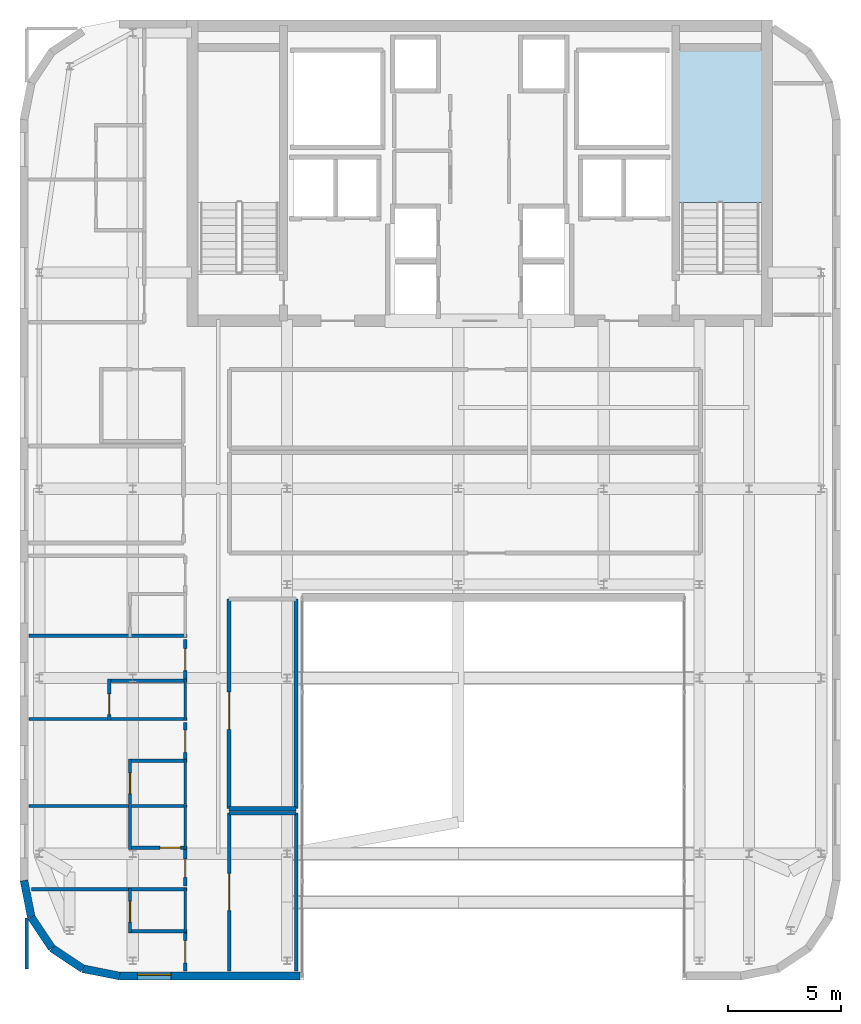
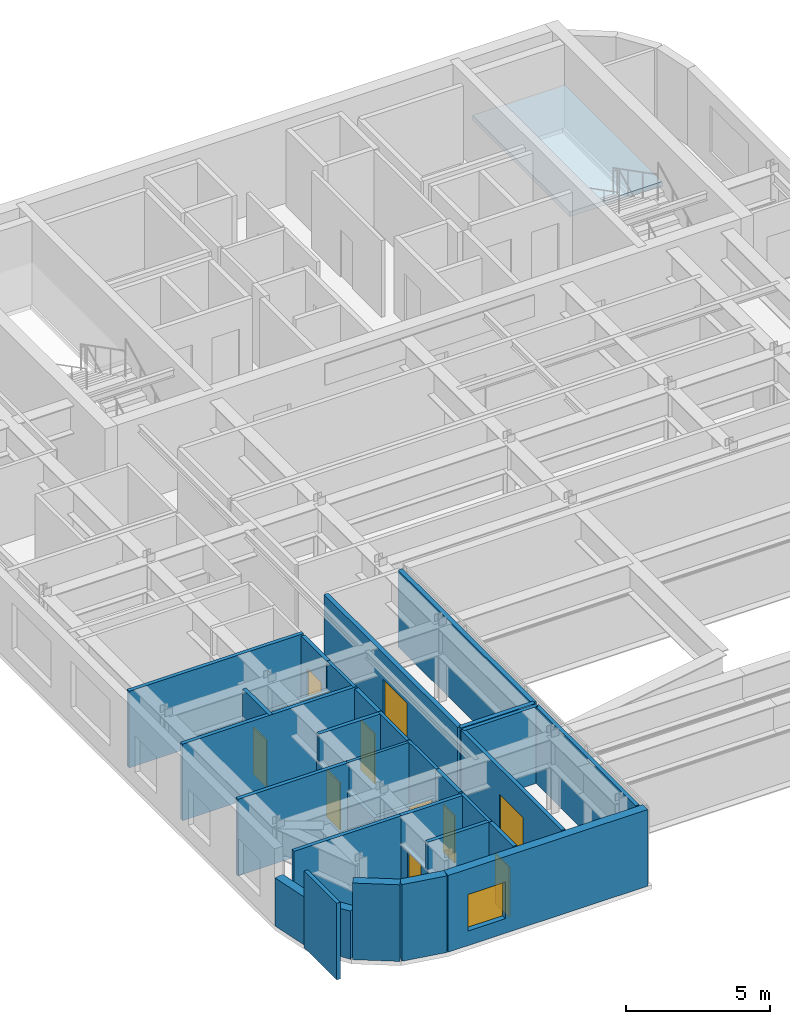
# One storey, part 16 of 21: 34 walls, 10 doors, 1 slab, 1 window, 11 openings, 1 element without a shape of its own.
"""IFC4 building model written with IfcOpenShell, lengths in metres."""

from ifc_helpers import new_model, si_unit, direction, frame, frame_2d, origin, place, context, subcontext, project, spatial, polyline, rectangle, outline, extrude, source, transform, mapped, material, layer, layer_set, type_object, type_shapes, element, fill, aggregate, save


model = new_model("IFC4")

# Units and contexts
model_context = context("Model", 3, precision=1e-05, world=origin(), true_north=direction((0.0, 1.0)))
body_context = subcontext(model_context, "Body", "Model", "MODEL_VIEW")
ifc_project = project(units=[si_unit("LENGTHUNIT", "METRE"), si_unit("AREAUNIT", "SQUARE_METRE"), si_unit("VOLUMEUNIT", "CUBIC_METRE"), si_unit("PLANEANGLEUNIT", "RADIAN"), si_unit("MASSUNIT", "GRAM", prefix="KILO")], contexts=[model_context])

# Site, building, storey
site_placement = place(None, origin())
site = spatial("IfcSite", under=ifc_project, at=site_placement, CompositionType="ELEMENT")
building_placement = place(site_placement, origin())
building = spatial("IfcBuilding", under=site, at=building_placement, Name="Tolvann Quenvar Hotel", CompositionType="ELEMENT")
storey_placement = place(building_placement, frame((0.0, 0.0, 266.5)))
storey = spatial("IfcBuildingStorey", under=building, at=storey_placement, Name="L71", CompositionType="ELEMENT", Elevation=266.5)

# Stair, slab
ifc_material_1 = material(Name="Concrete N40 (40 MPa)", Category="concrete")
stair_type = type_object("IfcStairType", Name="STAIR", PredefinedType="HALF_TURN_STAIR", material=ifc_material_1)
stair_placement = place(storey_placement, origin())
stair = element("IfcStair", 1, at=stair_placement, inside=storey, type_object=stair_type, Name="L71 ST-C2", PredefinedType="HALF_TURN_STAIR")
ifc_layer_1 = layer(ifc_material_1, 0.199951171875)
ifc_layer_set_1 = layer_set([ifc_layer_1], Name="Concrete N40 (40 MPa)")
slab_type = type_object("IfcSlabType", Name="SLAB_LANDING", PredefinedType="LANDING", material=ifc_layer_set_1)
slab_placement = place(storey_placement, frame((0.0, 0.0, 1.574951171875)))
slab = element("IfcSlab", 2, at=slab_placement, type_object=slab_type, Name="ST-C2 landing 1", PredefinedType="LANDING", context=body_context, shape_type="SweptSolid", body=[
    extrude(outline(polyline([(35.530029296875, 37.10498046875), (35.530029296875, 43.8798828125), (31.820068359375, 43.8798828125), (31.820068359375, 37.10498046875), (35.530029296875, 37.10498046875)])), origin(), (0.0, 0.0, 1.0), 0.199951171875),
])
aggregate(stair, [slab])

# Walls
ifc_material_2 = material(Name="Kiln-fired red and buff architectural clay brickwork and terracotta masonry", Category="masonry")
ifc_layer_2 = layer(ifc_material_2, 0.35009765625)
ifc_layer_set_2 = layer_set([ifc_layer_2], Name="Kiln-fired red and buff architectural clay brickwork and terracotta masonry")
wall_type_1 = type_object("IfcWallType", Name="WALL_EXT_BRICK_350", PredefinedType="SOLIDWALL", material=ifc_layer_set_2)
wall_1_placement = place(storey_placement, frame((3.099609375, 5.384521484375, 0.0), z_axis=(0.0, 0.0, 1.0), x_axis=(0.555623290322, -0.831434158098, 0.0)))
element("IfcWall", 3, at=wall_1_placement, inside=storey, type_object=wall_type_1, Name="Exterior Chicago Brick Wall L71-E01", PredefinedType="SOLIDWALL", context=body_context, shape_type="SweptSolid", body=[
    extrude(rectangle(XDim=1.647216796875, YDim=0.35009765625, at=frame_2d((0.82373046875, 0.0))), origin(), (0.0, 0.0, 1.0), 2.0400390625),
])
wall_2_placement = place(storey_placement, frame((4.014892578125, 4.014892578125, 0.0), z_axis=(0.0, 0.0, 1.0), x_axis=(0.831434158098, -0.555623290322, 0.0)))
element("IfcWall", 4, at=wall_2_placement, inside=storey, type_object=wall_type_1, Name="Exterior Chicago Brick Wall L71-E02", PredefinedType="SOLIDWALL", context=body_context, shape_type="SweptSolid", body=[
    extrude(rectangle(XDim=1.647216796875, YDim=0.35009765625, at=frame_2d((0.82373046875, 0.0))), origin(), (0.0, 0.0, 1.0), 3.25),
])
wall_3_placement = place(storey_placement, frame((5.384521484375, 3.099609375, 0.0), z_axis=(0.0, 0.0, 1.0), x_axis=(0.980788844421, -0.195072403631, 0.0)))
element("IfcWall", 5, at=wall_3_placement, inside=storey, type_object=wall_type_1, Name="Exterior Chicago Brick Wall L71-E03", PredefinedType="SOLIDWALL", context=body_context, shape_type="SweptSolid", body=[
    extrude(rectangle(XDim=1.66455078125, YDim=0.35009765625, at=frame_2d((0.832275390625, 0.0))), origin(), (0.0, 0.0, 1.0), 3.25),
])

# Wall, opening, window
wall_4_placement = place(storey_placement, frame((7.01708984375, 2.77490234375, 0.0), z_axis=(0.0, 0.0, 1.0), x_axis=(1.0, 0.0, 0.0)))
wall_4 = element("IfcWall", 6, at=wall_4_placement, inside=storey, type_object=wall_type_1, Name="Exterior Chicago Brick Wall L71-E04", PredefinedType="SOLIDWALL", context=body_context, shape_type="SweptSolid", body=[
    extrude(rectangle(XDim=8.0078125, YDim=0.35009765625, at=frame_2d((4.00390625, 0.0))), origin(), (0.0, 0.0, 1.0), 3.25),
])
opening_1_placement = place(wall_4_placement, frame((0.791015625, 0.0, 0.6201171875)))
opening_1 = element("IfcOpeningElement", 7, at=opening_1_placement, cuts=wall_4, Name="Opening W-08", PredefinedType="OPENING", context=body_context, shape_type="SweptSolid", body=[
    extrude(rectangle(XDim=1.5, YDim=1.550048828125, at=frame_2d((0.75, 0.77490234375))), frame((0.0, 0.18505859375, 0.0), z_axis=(0.0, -1.0, 0.0), x_axis=(1.0, 0.0, 0.0)), (0.0, 0.0, 1.0), 0.3701171875),
])
ifc_material_3 = material(Name="Thermally broken bronze-anodised aluminium frame with double low-E glazing", Category="aluminium")
window_type = type_object("IfcWindowType", Name="WIN_COR_1500x2050", PartitioningType="SINGLE_PANEL", PredefinedType="WINDOW", material=ifc_material_3)
shared_shape_1 = source(origin(), body_context, "Body", "SweptSolid", [
    extrude(rectangle(XDim=1.5, YDim=1.550048828125, at=frame_2d((0.75, 0.77490234375))), frame((0.0, 0.090087890625, 0.0), z_axis=(0.0, -1.0, 0.0), x_axis=(1.0, 0.0, 0.0)), (0.0, 0.0, 1.0), 0.06005859375),
])
type_shapes(window_type, [shared_shape_1])
window_placement = place(opening_1_placement, origin())
window = element("IfcWindow", 8, at=window_placement, inside=storey, type_object=window_type, Name="Chicago Window W-08 (EW-L71-E04-WD01)", OverallHeight=1.550048828125, OverallWidth=1.5, PartitioningType="SINGLE_PANEL", PredefinedType="WINDOW", context=body_context, shape_type="MappedRepresentation", body=[
    mapped(shared_shape_1, transform((0.0, 0.0, 0.0), x_axis=(1.0, 0.0, 0.0), y_axis=(0.0, 1.0, 0.0), z_axis=(0.0, 0.0, 1.0), scale=1.0)),
])
fill(opening_1, window)

# Walls
wall_5_placement = place(storey_placement, frame((2.77490234375, 7.01708984375, 0.0), z_axis=(0.0, 0.0, 1.0), x_axis=(0.195072403631, -0.980788844421, 0.0)))
element("IfcWall", 9, at=wall_5_placement, inside=storey, type_object=wall_type_1, Name="Exterior Chicago Brick Wall L71-E24", PredefinedType="SOLIDWALL", context=body_context, shape_type="SweptSolid", body=[
    extrude(rectangle(XDim=1.66455078125, YDim=0.35009765625, at=frame_2d((0.832275390625, 0.0))), origin(), (0.0, 0.0, 1.0), 2.0400390625),
])
ifc_material_4 = material(Name="Acoustic twin-stud fire-rated gypsum plasterboard partition")
ifc_layer_3 = layer(ifc_material_4, 0.179931640625)
ifc_layer_set_3 = layer_set([ifc_layer_3], Name="Acoustic twin-stud fire-rated gypsum plasterboard partition")
wall_type_2 = type_object("IfcWallType", Name="WALL_PART_ACOUSTIC_180", PredefinedType="PARTITIONING", material=ifc_layer_set_3)
wall_6_placement = place(storey_placement, frame((11.8798828125, 10.199951171875, 0.0), z_axis=(0.0, 0.0, 1.0), x_axis=(1.0, 0.0, 0.0)))
element("IfcWall", 10, at=wall_6_placement, inside=storey, type_object=wall_type_2, Name="Interior Partition PT-SPC-L71-POVL-S", PredefinedType="PARTITIONING", context=body_context, shape_type="SweptSolid", body=[
    extrude(rectangle(XDim=2.97021484375, YDim=0.179931640625, at=frame_2d((1.485107421875, 0.0))), origin(), (0.0, 0.0, 1.0), 3.25),
])

# Wall, opening, door
wall_7_placement = place(storey_placement, frame((11.8798828125, 10.199951171875, 0.0), z_axis=(0.0, 0.0, 1.0), x_axis=(0.0, 1.0, 0.0)))
wall_7 = element("IfcWall", 11, at=wall_7_placement, inside=storey, type_object=wall_type_2, Name="Interior Partition PT-SPC-L71-POVL-W", PredefinedType="PARTITIONING", context=body_context, shape_type="SweptSolid", body=[
    extrude(rectangle(XDim=9.300048828125, YDim=0.179931640625, at=frame_2d((4.64990234375, 0.0))), origin(), (0.0, 0.0, 1.0), 3.25),
])
opening_2_placement = place(wall_7_placement, frame((3.52490234375, 0.0, 0.0)))
opening_2 = element("IfcOpeningElement", 12, at=opening_2_placement, cuts=wall_7, Name="Opening AD-01", PredefinedType="OPENING", context=body_context, shape_type="SweptSolid", body=[
    extrude(rectangle(XDim=1.64990234375, YDim=2.14990234375, at=frame_2d((0.824951171875, 1.074951171875))), frame((0.0, 0.10009765625, 0.0), z_axis=(0.0, -1.0, 0.0), x_axis=(1.0, 0.0, 0.0)), (0.0, 0.0, 1.0), 0.199951171875),
])
ifc_material_5 = material(Name="Solid-core American oak acoustic fire door leaf in steel frame", Category="steel")
door_type_1 = type_object("IfcDoorType", Name="DOOR_SALON_1650", OperationType="NOTDEFINED", PredefinedType="DOOR", material=ifc_material_5)
shared_shape_2 = source(origin(), body_context, "Body", "SweptSolid", [
    extrude(rectangle(XDim=1.64990234375, YDim=2.14990234375, at=frame_2d((0.824951171875, 1.074951171875))), frame((0.0, 0.02490234375, 0.0), z_axis=(0.0, -1.0, 0.0), x_axis=(1.0, 0.0, 0.0)), (0.0, 0.0, 1.0), 0.050048828125),
])
type_shapes(door_type_1, [shared_shape_2])
door_1_placement = place(opening_2_placement, origin())
door_1 = element("IfcDoor", 13, at=door_1_placement, inside=storey, type_object=door_type_1, Name="Interior Door DOOR-SPC-L71-POVL", OperationType="DOUBLE_DOOR_SINGLE_SWING", OverallHeight=2.14990234375, OverallWidth=1.64990234375, PredefinedType="DOOR", context=body_context, shape_type="MappedRepresentation", body=[
    mapped(shared_shape_2, transform((0.0, 0.0, 0.0), x_axis=(1.0, 0.0, 0.0), y_axis=(0.0, 1.0, 0.0), z_axis=(0.0, 0.0, 1.0), scale=1.0)),
])
fill(opening_2, door_1)

# Walls
wall_8_placement = place(storey_placement, frame((14.85009765625, 10.199951171875, 0.0), z_axis=(0.0, 0.0, 1.0), x_axis=(0.0, 1.0, 0.0)))
element("IfcWall", 14, at=wall_8_placement, inside=storey, type_object=wall_type_2, Name="Interior Partition PT-SPC-L71-POVL-E", PredefinedType="PARTITIONING", context=body_context, shape_type="SweptSolid", body=[
    extrude(rectangle(XDim=9.300048828125, YDim=0.179931640625, at=frame_2d((4.64990234375, 0.0))), origin(), (0.0, 0.0, 1.0), 3.25),
])
ifc_material_6 = material(Name="Moisture-resistant acoustic plumbing wall assembly")
ifc_layer_4 = layer(ifc_material_6, 0.1201171875)
ifc_layer_set_4 = layer_set([ifc_layer_4], Name="Moisture-resistant acoustic plumbing wall assembly")
wall_type_3 = type_object("IfcWallType", Name="WALL_PART_BATH_120", PredefinedType="PLUMBINGWALL", material=ifc_layer_set_4)
wall_9_placement = place(storey_placement, frame((9.929931640625, 4.699951171875, 0.0), z_axis=(0.0, 0.0, 1.0), x_axis=(0.0, 1.0, 0.0)))
element("IfcWall", 15, at=wall_9_placement, inside=storey, type_object=wall_type_3, Name="Non-Rated Plumbing Partition PT-SPC-L71-ENS-PW01-E", PredefinedType="PLUMBINGWALL", context=body_context, shape_type="SweptSolid", body=[
    extrude(rectangle(XDim=1.989990234375, YDim=0.1201171875, at=frame_2d((0.9951171875, 0.0))), origin(), (0.0, 0.0, 1.0), 3.25),
])
wall_10_placement = place(storey_placement, frame((7.409912109375, 10.320068359375, 0.0), z_axis=(0.0, 0.0, 1.0), x_axis=(1.0, 0.0, 0.0)))
element("IfcWall", 16, at=wall_10_placement, inside=storey, type_object=wall_type_3, Name="Non-Rated Plumbing Partition PT-SPC-L71-ENS-PW02-N", PredefinedType="PLUMBINGWALL", context=body_context, shape_type="SweptSolid", body=[
    extrude(rectangle(XDim=2.590087890625, YDim=0.1201171875, at=frame_2d((1.294921875, 0.0))), origin(), (0.0, 0.0, 1.0), 3.25),
])
for number, where, z_axis, x_axis, name in (
    (17, (9.929931640625, 8.39990234375, 0.0), (0.0, 0.0, 1.0), (0.0, 1.0, 0.0), "Non-Rated Plumbing Partition PT-SPC-L71-ENS-PW02-E"),
    (18, (9.929931640625, 10.409912109375, 0.0), (0.0, 0.0, 1.0), (0.0, 1.0, 0.0), "Non-Rated Plumbing Partition PT-SPC-L71-ENS-PW03-E"),
):
    element("IfcWall", number, at=place(storey_placement, frame(where, z_axis=z_axis, x_axis=x_axis)), inside=storey, type_object=wall_type_3, Name=name, PredefinedType="PLUMBINGWALL", context=body_context, shape_type="SweptSolid", body=[
        extrude(rectangle(XDim=1.989990234375, YDim=0.1201171875, at=frame_2d((0.9951171875, 0.0))), origin(), (0.0, 0.0, 1.0), 3.25),
    ])
wall_11_placement = place(storey_placement, frame((9.929931640625, 14.110107421875, 0.0), z_axis=(0.0, 0.0, 1.0), x_axis=(0.0, 1.0, 0.0)))
element("IfcWall", 19, at=wall_11_placement, inside=storey, type_object=wall_type_3, Name="Non-Rated Plumbing Partition PT-SPC-L71-ENS-PW04-E", PredefinedType="PLUMBINGWALL", context=body_context, shape_type="SweptSolid", body=[
    extrude(rectangle(XDim=1.8388671875, YDim=0.1201171875, at=frame_2d((0.91943359375, 0.0))), origin(), (0.0, 0.0, 1.0), 3.25),
])

# Wall, opening, door
ifc_layer_5 = layer(ifc_material_4, 0.14990234375)
ifc_layer_set_5 = layer_set([ifc_layer_5], Name="Acoustic twin-stud fire-rated gypsum plasterboard partition")
wall_type_4 = type_object("IfcWallType", Name="WALL_PART_SUITE_150", PredefinedType="PARTITIONING", material=ifc_layer_set_5)
wall_12_placement = place(storey_placement, frame((7.47998046875, 4.699951171875, 0.0), z_axis=(0.0, 0.0, 1.0), x_axis=(0.0, 1.0, 0.0)))
wall_12 = element("IfcWall", 20, at=wall_12_placement, inside=storey, type_object=wall_type_4, Name="Interior Partition PT-SPC-L71-ENS-PW01-ENT", PredefinedType="PARTITIONING", context=body_context, shape_type="SweptSolid", body=[
    extrude(rectangle(XDim=1.989990234375, YDim=0.14990234375, at=frame_2d((0.9951171875, 0.0))), origin(), (0.0, 0.0, 1.0), 2.0400390625),
])
opening_3_placement = place(wall_12_placement, frame((0.465087890625, 0.0, 0.0)))
opening_3 = element("IfcOpeningElement", 21, at=opening_3_placement, cuts=wall_12, Name="Opening WD-01", PredefinedType="OPENING", context=body_context, shape_type="SweptSolid", body=[
    extrude(rectangle(XDim=0.919921875, YDim=2.010009765625, at=frame_2d((0.4599609375, 1.0048828125))), frame((0.0, 0.0849609375, 0.0), z_axis=(0.0, -1.0, 0.0), x_axis=(1.0, 0.0, 0.0)), (0.0, 0.0, 1.0), 0.169921875),
])
door_type_2 = type_object("IfcDoorType", Name="DOOR_WC_920", OperationType="NOTDEFINED", PredefinedType="DOOR", material=ifc_material_5)
shared_shape_3 = source(origin(), body_context, "Body", "SweptSolid", [
    extrude(rectangle(XDim=0.919921875, YDim=2.010009765625, at=frame_2d((0.4599609375, 1.0048828125))), frame((0.0, 0.02490234375, 0.0), z_axis=(0.0, -1.0, 0.0), x_axis=(1.0, 0.0, 0.0)), (0.0, 0.0, 1.0), 0.050048828125),
])
type_shapes(door_type_2, [shared_shape_3])
door_2_placement = place(opening_3_placement, origin())
door_2 = element("IfcDoor", 22, at=door_2_placement, inside=storey, type_object=door_type_2, Name="Interior Door DOOR-SPC-L71-ENS-PW01", OperationType="SINGLE_SWING_LEFT", OverallHeight=2.010009765625, OverallWidth=0.919921875, PredefinedType="DOOR", context=body_context, shape_type="MappedRepresentation", body=[
    mapped(shared_shape_3, transform((0.0, 0.0, 0.0), x_axis=(1.0, 0.0, 0.0), y_axis=(0.0, 1.0, 0.0), z_axis=(0.0, 0.0, 1.0), scale=1.0)),
])
fill(opening_3, door_2)

# Walls
for number, where, z_axis, x_axis, name in (
    (23, (7.409912109375, 4.77001953125, 0.0), (0.0, 0.0, 1.0), (1.0, 0.0, 0.0), "Interior Partition PT-SPC-L71-ENS-PW01-S"),
    (24, (7.409912109375, 6.6201171875, 0.0), (0.0, 0.0, 1.0), (1.0, 0.0, 0.0), "Interior Partition PT-SPC-L71-ENS-PW01-N"),
):
    element("IfcWall", number, at=place(storey_placement, frame(where, z_axis=z_axis, x_axis=x_axis)), inside=storey, type_object=wall_type_4, Name=name, PredefinedType="PARTITIONING", context=body_context, shape_type="SweptSolid", body=[
        extrude(rectangle(XDim=2.590087890625, YDim=0.14990234375, at=frame_2d((1.294921875, 0.0))), origin(), (0.0, 0.0, 1.0), 3.25),
    ])
wall_13_placement = place(storey_placement, frame((7.47998046875, 8.39990234375, 0.0), z_axis=(0.0, 0.0, 1.0), x_axis=(0.0, 1.0, 0.0)))
element("IfcWall", 25, at=wall_13_placement, inside=storey, type_object=wall_type_4, Name="Interior Partition PT-SPC-L71-ENS-PW02-ENT", PredefinedType="PARTITIONING", context=body_context, shape_type="SweptSolid", body=[
    extrude(rectangle(XDim=1.989990234375, YDim=0.14990234375, at=frame_2d((0.9951171875, 0.0))), origin(), (0.0, 0.0, 1.0), 2.0400390625),
])

# Wall, opening, door
wall_14_placement = place(storey_placement, frame((7.409912109375, 8.469970703125, 0.0), z_axis=(0.0, 0.0, 1.0), x_axis=(1.0, 0.0, 0.0)))
wall_14 = element("IfcWall", 26, at=wall_14_placement, inside=storey, type_object=wall_type_4, Name="Interior Partition PT-SPC-L71-ENS-PW02-S", PredefinedType="PARTITIONING", context=body_context, shape_type="SweptSolid", body=[
    extrude(rectangle(XDim=2.590087890625, YDim=0.14990234375, at=frame_2d((1.294921875, 0.0))), origin(), (0.0, 0.0, 1.0), 2.0400390625),
])
opening_4_placement = place(wall_14_placement, frame((1.39990234375, 0.0, 0.0)))
opening_4 = element("IfcOpeningElement", 27, at=opening_4_placement, cuts=wall_14, Name="Opening WD-01", PredefinedType="OPENING", context=body_context, shape_type="SweptSolid", body=[
    extrude(rectangle(XDim=0.919921875, YDim=2.010009765625, at=frame_2d((0.4599609375, 1.0048828125))), frame((0.0, 0.0849609375, 0.0), z_axis=(0.0, -1.0, 0.0), x_axis=(1.0, 0.0, 0.0)), (0.0, 0.0, 1.0), 0.169921875),
])
door_3_placement = place(opening_4_placement, origin())
door_3 = element("IfcDoor", 28, at=door_3_placement, inside=storey, type_object=door_type_2, Name="Interior Door DOOR-SPC-L71-ENS-PW02", OperationType="SINGLE_SWING_RIGHT", OverallHeight=2.010009765625, OverallWidth=0.919921875, PredefinedType="DOOR", context=body_context, shape_type="MappedRepresentation", body=[
    mapped(shared_shape_3, transform((0.0, 0.0, 0.0), x_axis=(1.0, 0.0, 0.0), y_axis=(0.0, 1.0, 0.0), z_axis=(0.0, 0.0, 1.0), scale=1.0)),
])
fill(opening_4, door_3)

wall_15_placement = place(storey_placement, frame((7.47998046875, 10.409912109375, 0.0), z_axis=(0.0, 0.0, 1.0), x_axis=(0.0, 1.0, 0.0)))
wall_15 = element("IfcWall", 29, at=wall_15_placement, inside=storey, type_object=wall_type_4, Name="Interior Partition PT-SPC-L71-ENS-PW03-ENT", PredefinedType="PARTITIONING", context=body_context, shape_type="SweptSolid", body=[
    extrude(rectangle(XDim=1.989990234375, YDim=0.14990234375, at=frame_2d((0.9951171875, 0.0))), origin(), (0.0, 0.0, 1.0), 2.0400390625),
])
opening_5_placement = place(wall_15_placement, frame((0.465087890625, 0.0, 0.0)))
opening_5 = element("IfcOpeningElement", 30, at=opening_5_placement, cuts=wall_15, Name="Opening WD-01", PredefinedType="OPENING", context=body_context, shape_type="SweptSolid", body=[
    extrude(rectangle(XDim=0.919921875, YDim=2.010009765625, at=frame_2d((0.4599609375, 1.0048828125))), frame((0.0, 0.0849609375, 0.0), z_axis=(0.0, -1.0, 0.0), x_axis=(1.0, 0.0, 0.0)), (0.0, 0.0, 1.0), 0.169921875),
])
door_4_placement = place(opening_5_placement, origin())
door_4 = element("IfcDoor", 31, at=door_4_placement, inside=storey, type_object=door_type_2, Name="Interior Door DOOR-SPC-L71-ENS-PW03", OperationType="SINGLE_SWING_LEFT", OverallHeight=2.010009765625, OverallWidth=0.919921875, PredefinedType="DOOR", context=body_context, shape_type="MappedRepresentation", body=[
    mapped(shared_shape_3, transform((0.0, 0.0, 0.0), x_axis=(1.0, 0.0, 0.0), y_axis=(0.0, 1.0, 0.0), z_axis=(0.0, 0.0, 1.0), scale=1.0)),
])
fill(opening_5, door_4)

# Wall
wall_16_placement = place(storey_placement, frame((7.409912109375, 12.330078125, 0.0), z_axis=(0.0, 0.0, 1.0), x_axis=(1.0, 0.0, 0.0)))
element("IfcWall", 32, at=wall_16_placement, inside=storey, type_object=wall_type_4, Name="Interior Partition PT-SPC-L71-ENS-PW03-N", PredefinedType="PARTITIONING", context=body_context, shape_type="SweptSolid", body=[
    extrude(rectangle(XDim=2.590087890625, YDim=0.14990234375, at=frame_2d((1.294921875, 0.0))), origin(), (0.0, 0.0, 1.0), 3.25),
])

# Wall, opening, door
wall_17_placement = place(storey_placement, frame((6.555908203125, 14.110107421875, 0.0), z_axis=(0.0, 0.0, 1.0), x_axis=(0.0, 1.0, 0.0)))
wall_17 = element("IfcWall", 33, at=wall_17_placement, inside=storey, type_object=wall_type_4, Name="Interior Partition PT-SPC-L71-ENS-PW04-ENT", PredefinedType="PARTITIONING", context=body_context, shape_type="SweptSolid", body=[
    extrude(rectangle(XDim=1.8388671875, YDim=0.14990234375, at=frame_2d((0.91943359375, 0.0))), origin(), (0.0, 0.0, 1.0), 3.25),
])
opening_6_placement = place(wall_17_placement, frame((0.27001953125, 0.0, 0.0)))
opening_6 = element("IfcOpeningElement", 34, at=opening_6_placement, cuts=wall_17, Name="Opening WD-01", PredefinedType="OPENING", context=body_context, shape_type="SweptSolid", body=[
    extrude(rectangle(XDim=0.919921875, YDim=2.010009765625, at=frame_2d((0.4599609375, 1.0048828125))), frame((0.0, 0.0849609375, 0.0), z_axis=(0.0, -1.0, 0.0), x_axis=(1.0, 0.0, 0.0)), (0.0, 0.0, 1.0), 0.169921875),
])
door_5_placement = place(opening_6_placement, origin())
door_5 = element("IfcDoor", 35, at=door_5_placement, inside=storey, type_object=door_type_2, Name="Interior Door DOOR-SPC-L71-ENS-PW04", OperationType="SINGLE_SWING_RIGHT", OverallHeight=2.010009765625, OverallWidth=0.919921875, PredefinedType="DOOR", context=body_context, shape_type="MappedRepresentation", body=[
    mapped(shared_shape_3, transform((0.0, 0.0, 0.0), x_axis=(1.0, 0.0, 0.0), y_axis=(0.0, 1.0, 0.0), z_axis=(0.0, 0.0, 1.0), scale=1.0)),
])
fill(opening_6, door_5)

# Walls
wall_18_placement = place(storey_placement, frame((3.0048828125, 14.179931640625, 0.0), z_axis=(0.0, 0.0, 1.0), x_axis=(1.0, 0.0, 0.0)))
element("IfcWall", 36, at=wall_18_placement, inside=storey, type_object=wall_type_4, Name="Interior Partition PT-SPC-L71-ENS-PW04-S", PredefinedType="PARTITIONING", context=body_context, shape_type="SweptSolid", body=[
    extrude(rectangle(XDim=6.9951171875, YDim=0.14990234375, at=frame_2d((3.49755859375, 0.0))), origin(), (0.0, 0.0, 1.0), 3.25),
])
wall_19_placement = place(storey_placement, frame((6.486083984375, 15.87890625, 0.0), z_axis=(0.0, 0.0, 1.0), x_axis=(1.0, 0.0, 0.0)))
element("IfcWall", 37, at=wall_19_placement, inside=storey, type_object=wall_type_4, Name="Interior Partition PT-SPC-L71-ENS-PW04-N", PredefinedType="PARTITIONING", context=body_context, shape_type="SweptSolid", body=[
    extrude(rectangle(XDim=3.513916015625, YDim=0.14990234375, at=frame_2d((1.7568359375, 0.0))), origin(), (0.0, 0.0, 1.0), 2.0400390625),
])
wall_20_placement = place(storey_placement, frame((3.0048828125, 17.8798828125, 0.0), z_axis=(0.0, 0.0, 1.0), x_axis=(1.0, 0.0, 0.0)))
element("IfcWall", 38, at=wall_20_placement, inside=storey, type_object=wall_type_4, Name="Interior Partition PT-SPC-L71-ENS-PW05-S", PredefinedType="PARTITIONING", context=body_context, shape_type="SweptSolid", body=[
    extrude(rectangle(XDim=6.9951171875, YDim=0.14990234375, at=frame_2d((3.49755859375, 0.0))), origin(), (0.0, 0.0, 1.0), 3.25),
])

# Wall, opening, door
wall_21_placement = place(storey_placement, frame((9.929931640625, 3.0048828125, 0.0), z_axis=(0.0, 0.0, 1.0), x_axis=(0.0, 1.0, 0.0)))
wall_21 = element("IfcWall", 39, at=wall_21_placement, inside=storey, type_object=wall_type_4, Name="Interior Partition PT-SPC-L71-RM-PW01-ENT", PredefinedType="PARTITIONING", context=body_context, shape_type="SweptSolid", body=[
    extrude(rectangle(XDim=1.68505859375, YDim=0.14990234375, at=frame_2d((0.842529296875, 0.0))), origin(), (0.0, 0.0, 1.0), 3.25),
])
opening_7_placement = place(wall_21_placement, frame((0.360107421875, 0.0, 0.0)))
opening_7 = element("IfcOpeningElement", 40, at=opening_7_placement, cuts=wall_21, Name="Opening SD-01", PredefinedType="OPENING", context=body_context, shape_type="SweptSolid", body=[
    extrude(rectangle(XDim=0.97998046875, YDim=2.1201171875, at=frame_2d((0.489990234375, 1.06005859375))), frame((0.0, 0.0849609375, 0.0), z_axis=(0.0, -1.0, 0.0), x_axis=(1.0, 0.0, 0.0)), (0.0, 0.0, 1.0), 0.169921875),
])
door_type_3 = type_object("IfcDoorType", Name="DOOR_SUITE_980", OperationType="NOTDEFINED", PredefinedType="DOOR", material=ifc_material_5)
shared_shape_4 = source(origin(), body_context, "Body", "SweptSolid", [
    extrude(rectangle(XDim=0.97998046875, YDim=2.1201171875, at=frame_2d((0.489990234375, 1.06005859375))), frame((0.0, 0.02490234375, 0.0), z_axis=(0.0, -1.0, 0.0), x_axis=(1.0, 0.0, 0.0)), (0.0, 0.0, 1.0), 0.050048828125),
])
type_shapes(door_type_3, [shared_shape_4])
door_6_placement = place(opening_7_placement, origin())
door_6 = element("IfcDoor", 41, at=door_6_placement, inside=storey, type_object=door_type_3, Name="Interior Door DOOR-SPC-L71-RM-PW01", OperationType="SINGLE_SWING_LEFT", OverallHeight=2.1201171875, OverallWidth=0.97998046875, PredefinedType="DOOR", context=body_context, shape_type="MappedRepresentation", body=[
    mapped(shared_shape_4, transform((0.0, 0.0, 0.0), x_axis=(1.0, 0.0, 0.0), y_axis=(0.0, 1.0, 0.0), z_axis=(0.0, 0.0, 1.0), scale=1.0)),
])
fill(opening_7, door_6)

# Walls
wall_22_placement = place(storey_placement, frame((3.112060546875, 6.6201171875, 0.0), z_axis=(0.0, 0.0, 1.0), x_axis=(1.0, 0.0, 0.0)))
element("IfcWall", 42, at=wall_22_placement, inside=storey, type_object=wall_type_4, Name="Interior Partition PT-SPC-L71-RM-PW01-E5", PredefinedType="PARTITIONING", context=body_context, shape_type="SweptSolid", body=[
    extrude(rectangle(XDim=4.347900390625, YDim=0.14990234375, at=frame_2d((2.173828125, 0.0))), origin(), (0.0, 0.0, 1.0), 3.25),
])
wall_23_placement = place(storey_placement, frame((2.89990234375, 3.080078125, 0.0), z_axis=(0.0, 0.0, 1.0), x_axis=(0.0, 1.0, 0.0)))
element("IfcWall", 43, at=wall_23_placement, inside=storey, type_object=wall_type_4, Name="Interior Partition PT-SPC-L71-RM-PW01-E6", PredefinedType="PARTITIONING", context=body_context, shape_type="SweptSolid", body=[
    extrude(rectangle(XDim=2.264892578125, YDim=0.14990234375, at=frame_2d((1.13232421875, 0.0))), origin(), (0.0, 0.0, 1.0), 3.25),
])

# Wall, opening, door
wall_24_placement = place(storey_placement, frame((9.929931640625, 6.780029296875, 0.0), z_axis=(0.0, 0.0, 1.0), x_axis=(0.0, 1.0, 0.0)))
wall_24 = element("IfcWall", 44, at=wall_24_placement, inside=storey, type_object=wall_type_4, Name="Interior Partition PT-SPC-L71-RM-PW02-ENT", PredefinedType="PARTITIONING", context=body_context, shape_type="SweptSolid", body=[
    extrude(rectangle(XDim=1.60986328125, YDim=0.14990234375, at=frame_2d((0.804931640625, 0.0))), origin(), (0.0, 0.0, 1.0), 3.25),
])
opening_8_placement = place(wall_24_placement, frame((0.375, 0.0, 0.0)))
opening_8 = element("IfcOpeningElement", 45, at=opening_8_placement, cuts=wall_24, Name="Opening HD-02", PredefinedType="OPENING", context=body_context, shape_type="SweptSolid", body=[
    extrude(rectangle(XDim=0.820068359375, YDim=2.010009765625, at=frame_2d((0.41015625, 1.0048828125))), frame((0.0, 0.0849609375, 0.0), z_axis=(0.0, -1.0, 0.0), x_axis=(1.0, 0.0, 0.0)), (0.0, 0.0, 1.0), 0.169921875),
])
ifc_material_7 = material(Name="Pressed galvanised steel fire-rated door set", Category="steel")
door_type_4 = type_object("IfcDoorType", Name="DOOR_STORE_820", OperationType="NOTDEFINED", PredefinedType="DOOR", material=ifc_material_7)
shared_shape_5 = source(origin(), body_context, "Body", "SweptSolid", [
    extrude(rectangle(XDim=0.820068359375, YDim=2.010009765625, at=frame_2d((0.41015625, 1.0048828125))), frame((0.0, 0.02490234375, 0.0), z_axis=(0.0, -1.0, 0.0), x_axis=(1.0, 0.0, 0.0)), (0.0, 0.0, 1.0), 0.050048828125),
])
type_shapes(door_type_4, [shared_shape_5])
door_7_placement = place(opening_8_placement, origin())
door_7 = element("IfcDoor", 46, at=door_7_placement, inside=storey, type_object=door_type_4, Name="Interior Door DOOR-SPC-L71-RM-PW02", OperationType="SINGLE_SWING_RIGHT", OverallHeight=2.010009765625, OverallWidth=0.820068359375, PredefinedType="DOOR", context=body_context, shape_type="MappedRepresentation", body=[
    mapped(shared_shape_5, transform((0.0, 0.0, 0.0), x_axis=(1.0, 0.0, 0.0), y_axis=(0.0, 1.0, 0.0), z_axis=(0.0, 0.0, 1.0), scale=1.0)),
])
fill(opening_8, door_7)

# Wall
wall_25_placement = place(storey_placement, frame((3.0048828125, 10.320068359375, 0.0), z_axis=(0.0, 0.0, 1.0), x_axis=(1.0, 0.0, 0.0)))
element("IfcWall", 47, at=wall_25_placement, inside=storey, type_object=wall_type_4, Name="Interior Partition PT-SPC-L71-RM-PW02-E5", PredefinedType="PARTITIONING", context=body_context, shape_type="SweptSolid", body=[
    extrude(rectangle(XDim=4.455078125, YDim=0.14990234375, at=frame_2d((2.2275390625, 0.0))), origin(), (0.0, 0.0, 1.0), 3.25),
])

# Wall, opening, door
wall_26_placement = place(storey_placement, frame((9.929931640625, 12.409912109375, 0.0), z_axis=(0.0, 0.0, 1.0), x_axis=(0.0, 1.0, 0.0)))
wall_26 = element("IfcWall", 48, at=wall_26_placement, inside=storey, type_object=wall_type_4, Name="Interior Partition PT-SPC-L71-RM-PW03-ENT", PredefinedType="PARTITIONING", context=body_context, shape_type="SweptSolid", body=[
    extrude(rectangle(XDim=1.610107421875, YDim=0.14990234375, at=frame_2d((0.80517578125, 0.0))), origin(), (0.0, 0.0, 1.0), 3.25),
])
opening_9_placement = place(wall_26_placement, frame((0.294921875, 0.0, 0.0)))
opening_9 = element("IfcOpeningElement", 49, at=opening_9_placement, cuts=wall_26, Name="Opening SD-01", PredefinedType="OPENING", context=body_context, shape_type="SweptSolid", body=[
    extrude(rectangle(XDim=0.97998046875, YDim=2.1201171875, at=frame_2d((0.489990234375, 1.06005859375))), frame((0.0, 0.0849609375, 0.0), z_axis=(0.0, -1.0, 0.0), x_axis=(1.0, 0.0, 0.0)), (0.0, 0.0, 1.0), 0.169921875),
])
door_8_placement = place(opening_9_placement, origin())
door_8 = element("IfcDoor", 50, at=door_8_placement, inside=storey, type_object=door_type_3, Name="Interior Door DOOR-SPC-L71-RM-PW03", OperationType="SINGLE_SWING_LEFT", OverallHeight=2.1201171875, OverallWidth=0.97998046875, PredefinedType="DOOR", context=body_context, shape_type="MappedRepresentation", body=[
    mapped(shared_shape_4, transform((0.0, 0.0, 0.0), x_axis=(1.0, 0.0, 0.0), y_axis=(0.0, 1.0, 0.0), z_axis=(0.0, 0.0, 1.0), scale=1.0)),
])
fill(opening_9, door_8)

wall_27_placement = place(storey_placement, frame((9.929931640625, 15.958984375, 0.0), z_axis=(0.0, 0.0, 1.0), x_axis=(0.0, 1.0, 0.0)))
wall_27 = element("IfcWall", 51, at=wall_27_placement, inside=storey, type_object=wall_type_4, Name="Interior Partition PT-SPC-L71-RM-PW04-ENT", PredefinedType="PARTITIONING", context=body_context, shape_type="SweptSolid", body=[
    extrude(rectangle(XDim=1.760986328125, YDim=0.14990234375, at=frame_2d((0.88037109375, 0.0))), origin(), (0.0, 0.0, 1.0), 3.25),
])
opening_10_placement = place(wall_27_placement, frame((0.37060546875, 0.0, 0.0)))
opening_10 = element("IfcOpeningElement", 52, at=opening_10_placement, cuts=wall_27, Name="Opening SD-01", PredefinedType="OPENING", context=body_context, shape_type="SweptSolid", body=[
    extrude(rectangle(XDim=0.97998046875, YDim=2.1201171875, at=frame_2d((0.489990234375, 1.06005859375))), frame((0.0, 0.0849609375, 0.0), z_axis=(0.0, -1.0, 0.0), x_axis=(1.0, 0.0, 0.0)), (0.0, 0.0, 1.0), 0.169921875),
])
door_9_placement = place(opening_10_placement, origin())
door_9 = element("IfcDoor", 53, at=door_9_placement, inside=storey, type_object=door_type_3, Name="Interior Door DOOR-SPC-L71-RM-PW04", OperationType="SINGLE_SWING_RIGHT", OverallHeight=2.1201171875, OverallWidth=0.97998046875, PredefinedType="DOOR", context=body_context, shape_type="MappedRepresentation", body=[
    mapped(shared_shape_4, transform((0.0, 0.0, 0.0), x_axis=(1.0, 0.0, 0.0), y_axis=(0.0, 1.0, 0.0), z_axis=(0.0, 0.0, 1.0), scale=1.0)),
])
fill(opening_10, door_9)

# Wall
wall_28_placement = place(storey_placement, frame((11.8798828125, 10.0, 0.0), z_axis=(0.0, 0.0, 1.0), x_axis=(1.0, 0.0, 0.0)))
element("IfcWall", 54, at=wall_28_placement, inside=storey, type_object=wall_type_4, Name="Interior Partition PT-SPC-L71-PSOUTH-N", PredefinedType="PARTITIONING", context=body_context, shape_type="SweptSolid", body=[
    extrude(rectangle(XDim=2.97021484375, YDim=0.14990234375, at=frame_2d((1.485107421875, 0.0))), origin(), (0.0, 0.0, 1.0), 3.25),
])

# Wall, opening, door
wall_29_placement = place(storey_placement, frame((11.8798828125, 3.0048828125, 0.0), z_axis=(0.0, 0.0, 1.0), x_axis=(0.0, 1.0, 0.0)))
wall_29 = element("IfcWall", 55, at=wall_29_placement, inside=storey, type_object=wall_type_4, Name="Interior Partition PT-SPC-L71-PSOUTH-W", PredefinedType="PARTITIONING", context=body_context, shape_type="SweptSolid", body=[
    extrude(rectangle(XDim=6.9951171875, YDim=0.14990234375, at=frame_2d((3.49755859375, 0.0))), origin(), (0.0, 0.0, 1.0), 3.25),
])
opening_11_placement = place(wall_29_placement, frame((2.672607421875, 0.0, 0.0)))
opening_11 = element("IfcOpeningElement", 56, at=opening_11_placement, cuts=wall_29, Name="Opening AD-01", PredefinedType="OPENING", context=body_context, shape_type="SweptSolid", body=[
    extrude(rectangle(XDim=1.64990234375, YDim=2.14990234375, at=frame_2d((0.824951171875, 1.074951171875))), frame((0.0, 0.0849609375, 0.0), z_axis=(0.0, -1.0, 0.0), x_axis=(1.0, 0.0, 0.0)), (0.0, 0.0, 1.0), 0.169921875),
])
door_10_placement = place(opening_11_placement, origin())
door_10 = element("IfcDoor", 57, at=door_10_placement, inside=storey, type_object=door_type_1, Name="Interior Door DOOR-SPC-L71-PSOUTH", OperationType="DOUBLE_DOOR_SINGLE_SWING", OverallHeight=2.14990234375, OverallWidth=1.64990234375, PredefinedType="DOOR", context=body_context, shape_type="MappedRepresentation", body=[
    mapped(shared_shape_2, transform((0.0, 0.0, 0.0), x_axis=(1.0, 0.0, 0.0), y_axis=(0.0, 1.0, 0.0), z_axis=(0.0, 0.0, 1.0), scale=1.0)),
])
fill(opening_11, door_10)

# Wall
wall_30_placement = place(storey_placement, frame((14.85009765625, 3.0048828125, 0.0), z_axis=(0.0, 0.0, 1.0), x_axis=(0.0, 1.0, 0.0)))
element("IfcWall", 58, at=wall_30_placement, inside=storey, type_object=wall_type_4, Name="Interior Partition PT-SPC-L71-PSOUTH-E", PredefinedType="PARTITIONING", context=body_context, shape_type="SweptSolid", body=[
    extrude(rectangle(XDim=6.9951171875, YDim=0.14990234375, at=frame_2d((3.49755859375, 0.0))), origin(), (0.0, 0.0, 1.0), 3.25),
])

save(model, "model.ifc")
